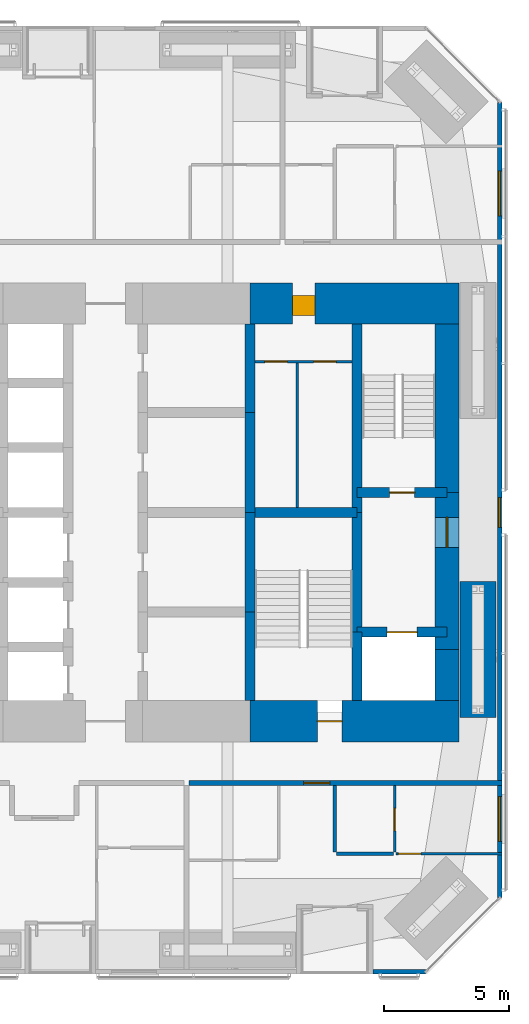
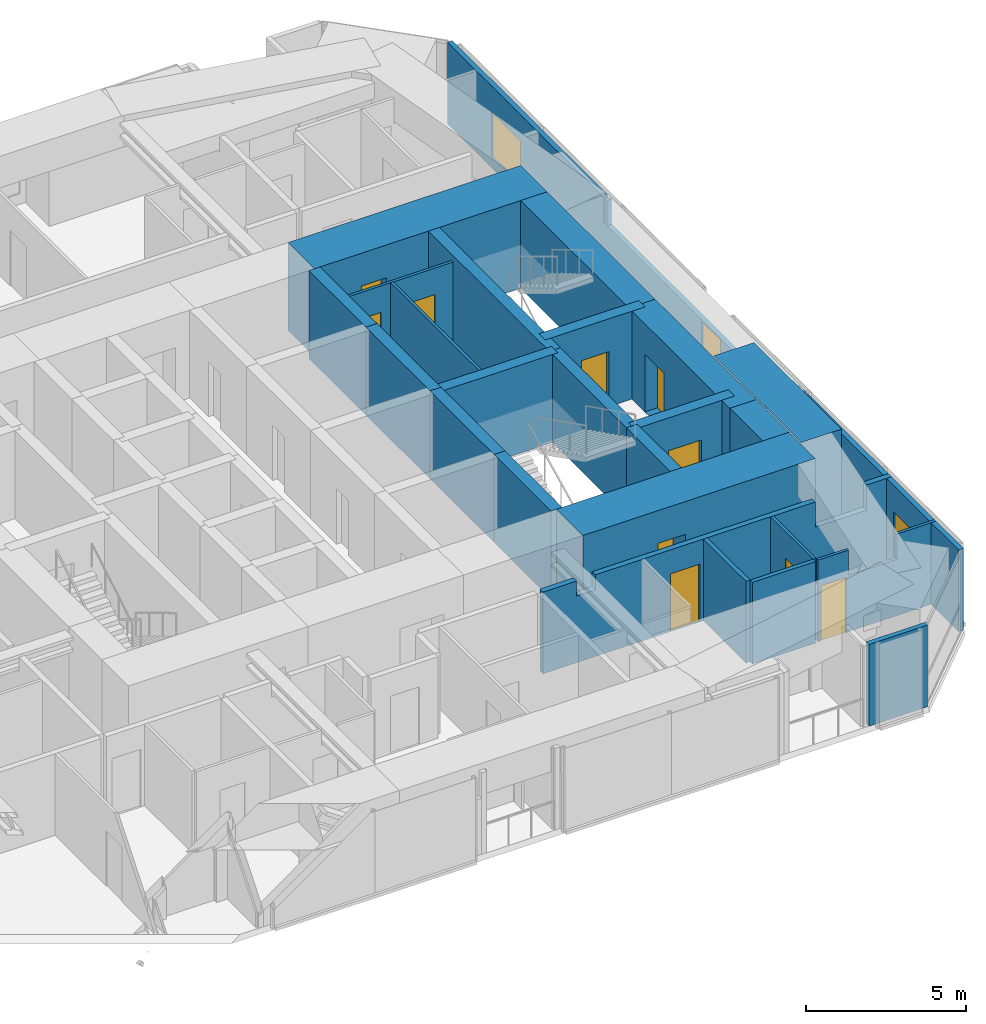
# One storey, part 20 of 23: 25 walls, 10 doors, 3 windows, 13 openings.
"""IFC4 building model written with IfcOpenShell, lengths in metres."""

from ifc_helpers import new_model, si_unit, direction, frame, frame_2d, origin, place, context, subcontext, project, spatial, polyline, rectangle, outline, extrude, material, layer, layer_set, constituent, constituent_set, type_object, element, fill, save


model = new_model("IFC4")

# Units and contexts
model_context = context("Model", 3, precision=1e-05, world=origin(), true_north=direction((0.0, 1.0)))
body_context = subcontext(model_context, "Body", "Model", "MODEL_VIEW")
ifc_project = project(units=[si_unit("LENGTHUNIT", "METRE"), si_unit("AREAUNIT", "SQUARE_METRE"), si_unit("VOLUMEUNIT", "CUBIC_METRE"), si_unit("PLANEANGLEUNIT", "RADIAN"), si_unit("MASSUNIT", "GRAM", prefix="KILO")], contexts=[model_context])

# Site, building, storey
site_placement = place(None, origin())
site = spatial("IfcSite", under=ifc_project, at=site_placement, CompositionType="ELEMENT")
building_placement = place(site_placement, origin())
building = spatial("IfcBuilding", under=site, at=building_placement, Name="Jalousie Tower", CompositionType="ELEMENT")
storey_placement = place(building_placement, frame((0.0, 0.0, 24.35009765625)))
storey = spatial("IfcBuildingStorey", under=building, at=storey_placement, Name="L05", CompositionType="ELEMENT", Elevation=24.35009765625)

# Walls
ifc_material_1 = material(Name="Concrete block ASTM C90", Category="concrete")
ifc_constituent_1 = constituent(ifc_material_1, Name="Body")
ifc_material_2 = material(Name="Render")
ifc_constituent_2 = constituent(ifc_material_2, Name="Finish")
ifc_constituent_set_1 = constituent_set(constituents=[ifc_constituent_1, ifc_constituent_2])
wall_type_1 = type_object("IfcWallType", Name="BATHROOM WALL 150", PredefinedType="PLUMBINGWALL", material=ifc_constituent_set_1)
wall_1_placement = place(storey_placement, frame((39.375, 4.8173828125, 0.0), z_axis=(0.0, 0.0, 1.0), x_axis=(1.0, 0.0, 0.0)))
element("IfcWall", 1, at=wall_1_placement, inside=storey, type_object=wall_type_1, Name="Bathroom Wall 150 L05", PredefinedType="PLUMBINGWALL", context=body_context, shape_type="SweptSolid", body=[
    extrude(rectangle(XDim=2.27490234375, YDim=0.14990234375, at=frame_2d((1.137451171875, 0.0))), origin(), (0.0, 0.0, 1.0), 3.10986328125),
])
wall_2_placement = place(storey_placement, frame((39.300048828125, 4.892333984375, 0.0), z_axis=(0.0, 0.0, 1.0), x_axis=(0.0, 1.0, 0.0)))
element("IfcWall", 2, at=wall_2_placement, inside=storey, type_object=wall_type_1, Name="Bathroom Wall 150 L05", PredefinedType="PLUMBINGWALL", context=body_context, shape_type="SweptSolid", body=[
    extrude(rectangle(XDim=2.65771484375, YDim=0.14990234375, at=frame_2d((1.328857421875, 0.0))), origin(), (0.0, 0.0, 1.0), 3.10986328125),
])

# Wall, opening, door
ifc_material_3 = material(Name="Concrete f'c 120 MPa", Category="concrete")
ifc_layer_1 = layer(ifc_material_3, 1.64990234375)
ifc_layer_set_1 = layer_set([ifc_layer_1], Name="Concrete f'c 120 MPa")
wall_type_2 = type_object("IfcWallType", Name="CORE WALL 1650", PredefinedType="SHEAR", material=ifc_layer_set_1)
wall_3_placement = place(storey_placement, frame((35.89990234375, 10.125, 0.0), z_axis=(0.0, 0.0, 1.0), x_axis=(1.0, 0.0, 0.0)))
wall_3 = element("IfcWall", 3, at=wall_3_placement, inside=storey, type_object=wall_type_2, Name="Core wall SD L05", PredefinedType="SHEAR", context=body_context, shape_type="SweptSolid", body=[
    extrude(rectangle(XDim=8.375, YDim=1.64990234375, at=frame_2d((4.1875, 0.0))), origin(), (0.0, 0.0, 1.0), 3.349853515625),
])
opening_1_placement = place(wall_3_placement, frame((2.699951171875, 0.0, 0.0)))
opening_1 = element("IfcOpeningElement", 4, at=opening_1_placement, cuts=wall_3, Name="Opening D10", PredefinedType="OPENING", context=body_context, shape_type="SweptSolid", body=[
    extrude(rectangle(XDim=1.0, YDim=2.10009765625, at=frame_2d((0.5, 1.050048828125))), frame((0.0, 0.8349609375, 0.0), z_axis=(0.0, -1.0, 0.0), x_axis=(1.0, 0.0, 0.0)), (0.0, 0.0, 1.0), 1.669921875),
])
ifc_material_4 = material(Name="Steel fire door", Category="steel")
door_type_1 = type_object("IfcDoorType", Name="STAIR DOOR 1000", OperationType="SINGLE_SWING_LEFT", PredefinedType="DOOR", material=ifc_material_4)
door_1_placement = place(opening_1_placement, origin())
door_1 = element("IfcDoor", 5, at=door_1_placement, inside=storey, type_object=door_type_1, Name="Exit stair C door", OperationType="SINGLE_SWING_RIGHT", OverallHeight=2.10009765625, OverallWidth=1.0, PredefinedType="DOOR", context=body_context, shape_type="SweptSolid", body=[
    extrude(rectangle(XDim=1.0, YDim=2.10009765625, at=frame_2d((0.5, 1.050048828125))), frame((0.0, 0.02490234375, 0.0), z_axis=(0.0, -1.0, 0.0), x_axis=(1.0, 0.0, 0.0)), (0.0, 0.0, 1.0), 0.050048828125),
])
fill(opening_1, door_1)

wall_4_placement = place(storey_placement, frame((44.27490234375, 26.875, 0.0), z_axis=(0.0, 0.0, 1.0), x_axis=(-1.0, 0.0, 0.0)))
wall_4 = element("IfcWall", 6, at=wall_4_placement, inside=storey, type_object=wall_type_2, Name="Core wall NA L05", PredefinedType="SHEAR", context=body_context, shape_type="SweptSolid", body=[
    extrude(rectangle(XDim=8.375, YDim=1.64990234375, at=frame_2d((4.1875, 0.0))), origin(), (0.0, 0.0, 1.0), 3.349853515625),
])
opening_2_placement = place(wall_4_placement, frame((5.77490234375, 0.0, 0.0)))
opening_2 = element("IfcOpeningElement", 7, at=opening_2_placement, cuts=wall_4, Name="Opening D25", PredefinedType="OPENING", context=body_context, shape_type="SweptSolid", body=[
    extrude(rectangle(XDim=0.89990234375, YDim=2.10009765625, at=frame_2d((0.449951171875, 1.050048828125))), frame((0.0, 0.8349609375, 0.0), z_axis=(0.0, -1.0, 0.0), x_axis=(1.0, 0.0, 0.0)), (0.0, 0.0, 1.0), 1.669921875),
])
ifc_material_5 = material(Name="Steel fire door", Category="steel")
door_type_2 = type_object("IfcDoorType", Name="SERVICE LOBBY DOOR 900", OperationType="SINGLE_SWING_LEFT", PredefinedType="DOOR", material=ifc_material_5)
door_2_placement = place(opening_2_placement, origin())
door_2 = element("IfcDoor", 8, at=door_2_placement, inside=storey, type_object=door_type_2, Name="Service lobby door", OperationType="SINGLE_SWING_RIGHT", OverallHeight=2.10009765625, OverallWidth=0.89990234375, PredefinedType="DOOR", context=body_context, shape_type="SweptSolid", body=[
    extrude(rectangle(XDim=0.89990234375, YDim=2.10009765625, at=frame_2d((0.449951171875, 1.050048828125))), frame((0.0, 0.47021484375, 0.0), z_axis=(0.0, -1.0, 0.0), x_axis=(1.0, 0.0, 0.0)), (0.0, 0.0, 1.0), 0.800048828125),
])
fill(opening_2, door_2)

# Walls
ifc_material_6 = material(Name="Concrete f'c 120 MPa", Category="concrete")
ifc_layer_2 = layer(ifc_material_6, 0.39990234375)
ifc_layer_set_2 = layer_set([ifc_layer_2], Name="Concrete f'c 120 MPa")
wall_type_3 = type_object("IfcWallType", Name="CORE WALL 400", PredefinedType="SHEAR", material=ifc_layer_set_2)
wall_5_placement = place(storey_placement, frame((35.89990234375, 10.949951171875, 0.0), z_axis=(0.0, 0.0, 1.0), x_axis=(0.0, 1.0, 0.0)))
element("IfcWall", 9, at=wall_5_placement, inside=storey, type_object=wall_type_3, Name="Core wall X35.9A L05", PredefinedType="SHEAR", context=body_context, shape_type="SweptSolid", body=[
    extrude(rectangle(XDim=3.550048828125, YDim=0.39990234375, at=frame_2d((1.77490234375, 0.0))), origin(), (0.0, 0.0, 1.0), 3.349853515625),
])
for number, where, z_axis, x_axis, name in (
    (10, (35.89990234375, 14.5, 0.0), (0.0, 0.0, 1.0), (0.0, 1.0, 0.0), "Core wall X35.9B L05"),
    (11, (35.89990234375, 18.5, 0.0), (0.0, 0.0, 1.0), (0.0, 1.0, 0.0), "Core wall X35.9C L05"),
):
    element("IfcWall", number, at=place(storey_placement, frame(where, z_axis=z_axis, x_axis=x_axis)), inside=storey, type_object=wall_type_3, Name=name, PredefinedType="SHEAR", context=body_context, shape_type="SweptSolid", body=[
        extrude(rectangle(XDim=4.0, YDim=0.39990234375, at=frame_2d((2.0, 0.0))), origin(), (0.0, 0.0, 1.0), 3.349853515625),
    ])
wall_6_placement = place(storey_placement, frame((35.89990234375, 22.5, 0.0), z_axis=(0.0, 0.0, 1.0), x_axis=(0.0, 1.0, 0.0)))
element("IfcWall", 12, at=wall_6_placement, inside=storey, type_object=wall_type_3, Name="Core wall X35.9D L05", PredefinedType="SHEAR", context=body_context, shape_type="SweptSolid", body=[
    extrude(rectangle(XDim=3.550048828125, YDim=0.39990234375, at=frame_2d((1.77490234375, 0.0))), origin(), (0.0, 0.0, 1.0), 3.349853515625),
])
wall_7_placement = place(storey_placement, frame((40.199951171875, 10.949951171875, 0.0), z_axis=(0.0, 0.0, 1.0), x_axis=(0.0, 1.0, 0.0)))
element("IfcWall", 13, at=wall_7_placement, inside=storey, type_object=wall_type_3, Name="Core wall X40.2A L05", PredefinedType="SHEAR", context=body_context, shape_type="SweptSolid", body=[
    extrude(rectangle(XDim=2.75, YDim=0.39990234375, at=frame_2d((1.375, 0.0))), origin(), (0.0, 0.0, 1.0), 3.349853515625),
])
wall_8_placement = place(storey_placement, frame((40.199951171875, 13.699951171875, 0.0), z_axis=(0.0, 0.0, 1.0), x_axis=(0.0, 1.0, 0.0)))
element("IfcWall", 14, at=wall_8_placement, inside=storey, type_object=wall_type_3, Name="Core wall X40.2B L05", PredefinedType="SHEAR", context=body_context, shape_type="SweptSolid", body=[
    extrude(rectangle(XDim=4.800048828125, YDim=0.39990234375, at=frame_2d((2.39990234375, 0.0))), origin(), (0.0, 0.0, 1.0), 3.349853515625),
])
wall_9_placement = place(storey_placement, frame((40.199951171875, 18.5, 0.0), z_axis=(0.0, 0.0, 1.0), x_axis=(0.0, 1.0, 0.0)))
element("IfcWall", 15, at=wall_9_placement, inside=storey, type_object=wall_type_3, Name="Core wall X40.2C L05", PredefinedType="SHEAR", context=body_context, shape_type="SweptSolid", body=[
    extrude(rectangle(XDim=7.550048828125, YDim=0.39990234375, at=frame_2d((3.77490234375, 0.0))), origin(), (0.0, 0.0, 1.0), 3.349853515625),
])
wall_10_placement = place(storey_placement, frame((35.89990234375, 18.5, 0.0), z_axis=(0.0, 0.0, 1.0), x_axis=(1.0, 0.0, 0.0)))
element("IfcWall", 16, at=wall_10_placement, inside=storey, type_object=wall_type_3, Name="Core wall Y35.9-18.5 L05", PredefinedType="SHEAR", context=body_context, shape_type="SweptSolid", body=[
    extrude(rectangle(XDim=4.300048828125, YDim=0.39990234375, at=frame_2d((2.14990234375, 0.0))), origin(), (0.0, 0.0, 1.0), 3.349853515625),
])

# Wall, opening, door
wall_11_placement = place(storey_placement, frame((40.199951171875, 13.699951171875, 0.0), z_axis=(0.0, 0.0, 1.0), x_axis=(1.0, 0.0, 0.0)))
wall_11 = element("IfcWall", 17, at=wall_11_placement, inside=storey, type_object=wall_type_3, Name="Core wall Y40.2-13.7 L05", PredefinedType="SHEAR", context=body_context, shape_type="SweptSolid", body=[
    extrude(rectangle(XDim=3.60009765625, YDim=0.39990234375, at=frame_2d((1.800048828125, 0.0))), origin(), (0.0, 0.0, 1.0), 3.349853515625),
])
opening_3_placement = place(wall_11_placement, frame((1.199951171875, 0.0, 0.0)))
opening_3 = element("IfcOpeningElement", 18, at=opening_3_placement, cuts=wall_11, Name="Opening LD2", PredefinedType="OPENING", context=body_context, shape_type="SweptSolid", body=[
    extrude(rectangle(XDim=1.199951171875, YDim=2.10009765625, at=frame_2d((0.60009765625, 1.050048828125))), frame((0.0, 0.2099609375, 0.0), z_axis=(0.0, -1.0, 0.0), x_axis=(1.0, 0.0, 0.0)), (0.0, 0.0, 1.0), 0.419921875),
])
ifc_material_7 = material(Name="Steel lift landing door", Category="steel")
door_type_3 = type_object("IfcDoorType", Name="LIFT LANDING DOOR 1200", OperationType="SLIDING_TO_LEFT", PredefinedType="DOOR", material=ifc_material_7)
door_3_placement = place(opening_3_placement, origin())
door_3 = element("IfcDoor", 19, at=door_3_placement, inside=storey, type_object=door_type_3, Name="Lift F2 landing door", OperationType="SLIDING_TO_LEFT", OverallHeight=2.10009765625, OverallWidth=1.199951171875, PredefinedType="DOOR", context=body_context, shape_type="SweptSolid", body=[
    extrude(rectangle(XDim=1.199951171875, YDim=2.10009765625, at=frame_2d((0.60009765625, 1.050048828125))), frame((0.0, 0.02490234375, 0.0), z_axis=(0.0, -1.0, 0.0), x_axis=(1.0, 0.0, 0.0)), (0.0, 0.0, 1.0), 0.050048828125),
])
fill(opening_3, door_3)

wall_12_placement = place(storey_placement, frame((40.199951171875, 19.300048828125, 0.0), z_axis=(0.0, 0.0, 1.0), x_axis=(1.0, 0.0, 0.0)))
wall_12 = element("IfcWall", 20, at=wall_12_placement, inside=storey, type_object=wall_type_3, Name="Core wall Y40.2-19.3 L05", PredefinedType="SHEAR", context=body_context, shape_type="SweptSolid", body=[
    extrude(rectangle(XDim=3.60009765625, YDim=0.39990234375, at=frame_2d((1.800048828125, 0.0))), origin(), (0.0, 0.0, 1.0), 3.349853515625),
])
opening_4_placement = place(wall_12_placement, frame((1.300048828125, 0.0, 0.0)))
opening_4 = element("IfcOpeningElement", 21, at=opening_4_placement, cuts=wall_12, Name="Opening D10", PredefinedType="OPENING", context=body_context, shape_type="SweptSolid", body=[
    extrude(rectangle(XDim=1.0, YDim=2.10009765625, at=frame_2d((0.5, 1.050048828125))), frame((0.0, 0.2099609375, 0.0), z_axis=(0.0, -1.0, 0.0), x_axis=(1.0, 0.0, 0.0)), (0.0, 0.0, 1.0), 0.419921875),
])
door_4_placement = place(opening_4_placement, origin())
door_4 = element("IfcDoor", 22, at=door_4_placement, inside=storey, type_object=door_type_1, Name="Exit stair B door", OperationType="SINGLE_SWING_RIGHT", OverallHeight=2.10009765625, OverallWidth=1.0, PredefinedType="DOOR", context=body_context, shape_type="SweptSolid", body=[
    extrude(rectangle(XDim=1.0, YDim=2.10009765625, at=frame_2d((0.5, 1.050048828125))), frame((0.0, 0.02490234375, 0.0), z_axis=(0.0, -1.0, 0.0), x_axis=(1.0, 0.0, 0.0)), (0.0, 0.0, 1.0), 0.050048828125),
])
fill(opening_4, door_4)

# Wall
ifc_material_8 = material(Name="Concrete f'c 120 MPa", Category="concrete")
ifc_layer_3 = layer(ifc_material_8, 0.949951171875)
ifc_layer_set_3 = layer_set([ifc_layer_3], Name="Concrete f'c 120 MPa")
wall_type_4 = type_object("IfcWallType", Name="CORE WALL 950", PredefinedType="SHEAR", material=ifc_layer_set_3)
wall_13_placement = place(storey_placement, frame((43.800048828125, 10.949951171875, 0.0), z_axis=(0.0, 0.0, 1.0), x_axis=(0.0, 1.0, 0.0)))
element("IfcWall", 23, at=wall_13_placement, inside=storey, type_object=wall_type_4, Name="Core wall EA L05", PredefinedType="SHEAR", context=body_context, shape_type="SweptSolid", body=[
    extrude(rectangle(XDim=2.050048828125, YDim=0.949951171875, at=frame_2d((1.02490234375, 0.0))), origin(), (0.0, 0.0, 1.0), 3.349853515625),
])

# Wall, opening, door
wall_14_placement = place(storey_placement, frame((43.800048828125, 13.0, 0.0), z_axis=(0.0, 0.0, 1.0), x_axis=(0.0, 1.0, 0.0)))
wall_14 = element("IfcWall", 24, at=wall_14_placement, inside=storey, type_object=wall_type_4, Name="Core wall EB L05", PredefinedType="SHEAR", context=body_context, shape_type="SweptSolid", body=[
    extrude(rectangle(XDim=6.300048828125, YDim=0.949951171875, at=frame_2d((3.14990234375, 0.0))), origin(), (0.0, 0.0, 1.0), 3.349853515625),
])
opening_5_placement = place(wall_14_placement, frame((4.10009765625, 0.0, 0.0)))
opening_5 = element("IfcOpeningElement", 25, at=opening_5_placement, cuts=wall_14, Name="Opening D11", PredefinedType="OPENING", context=body_context, shape_type="SweptSolid", body=[
    extrude(rectangle(XDim=1.199951171875, YDim=2.199951171875, at=frame_2d((0.60009765625, 1.10009765625))), frame((0.0, 0.48486328125, 0.0), z_axis=(0.0, -1.0, 0.0), x_axis=(1.0, 0.0, 0.0)), (0.0, 0.0, 1.0), 0.969970703125),
])
ifc_material_9 = material(Name="Steel fire door", Category="steel")
door_type_4 = type_object("IfcDoorType", Name="FIRE DOOR 1200", OperationType="SINGLE_SWING_LEFT", PredefinedType="DOOR", material=ifc_material_9)
door_5_placement = place(opening_5_placement, origin())
door_5 = element("IfcDoor", 26, at=door_5_placement, inside=storey, type_object=door_type_4, Name="Fire-fighting lobby B door", OperationType="SINGLE_SWING_RIGHT", OverallHeight=2.199951171875, OverallWidth=1.199951171875, PredefinedType="DOOR", context=body_context, shape_type="SweptSolid", body=[
    extrude(rectangle(XDim=1.199951171875, YDim=2.199951171875, at=frame_2d((0.60009765625, 1.10009765625))), frame((0.0, 0.02490234375, 0.0), z_axis=(0.0, -1.0, 0.0), x_axis=(1.0, 0.0, 0.0)), (0.0, 0.0, 1.0), 0.050048828125),
])
fill(opening_5, door_5)

# Wall
wall_15_placement = place(storey_placement, frame((43.800048828125, 19.300048828125, 0.0), z_axis=(0.0, 0.0, 1.0), x_axis=(0.0, 1.0, 0.0)))
element("IfcWall", 27, at=wall_15_placement, inside=storey, type_object=wall_type_4, Name="Core wall EC L05", PredefinedType="SHEAR", context=body_context, shape_type="SweptSolid", body=[
    extrude(rectangle(XDim=6.75, YDim=0.949951171875, at=frame_2d((3.375, 0.0))), origin(), (0.0, 0.0, 1.0), 3.349853515625),
])

# Wall, opening, door
ifc_material_10 = material(Name="Concrete block ASTM C90", Category="concrete")
ifc_constituent_3 = constituent(ifc_material_10, Name="Body")
ifc_material_11 = material(Name="Render")
ifc_constituent_4 = constituent(ifc_material_11, Name="Finish")
ifc_constituent_set_2 = constituent_set(constituents=[ifc_constituent_3, ifc_constituent_4])
wall_type_5 = type_object("IfcWallType", Name="CORRIDOR WALL 200", PredefinedType="PARTITIONING", material=ifc_constituent_set_2)
wall_16_placement = place(storey_placement, frame((33.449951171875, 7.64990234375, 0.0), z_axis=(0.0, 0.0, 1.0), x_axis=(1.0, 0.0, 0.0)))
wall_16 = element("IfcWall", 28, at=wall_16_placement, inside=storey, type_object=wall_type_5, Name="Corridor Wall 200 L05", PredefinedType="PARTITIONING", context=body_context, shape_type="SweptSolid", body=[
    extrude(outline(polyline([(0.0, 0.0), (12.550048828125, 0.0), (12.550048828125, 3.10986328125), (11.654296875, 3.10986328125), (11.654296875, 2.14990234375), (9.810546875, 2.14990234375), (9.810546875, 3.10986328125), (1.88720703125, 3.10986328125), (1.88720703125, 2.541015625), (1.212646484375, 2.541015625), (1.212646484375, 3.10986328125), (0.0, 3.10986328125), (0.0, 0.0)])), frame((0.0, 0.10009765625, 0.0), z_axis=(0.0, -1.0, 0.0), x_axis=(1.0, 0.0, 0.0)), (0.0, 0.0, 1.0), 0.199951171875),
])
opening_6_placement = place(wall_16_placement, frame((4.60009765625, 0.0, 0.0)))
opening_6 = element("IfcOpeningElement", 29, at=opening_6_placement, cuts=wall_16, Name="Opening D1", PredefinedType="OPENING", context=body_context, shape_type="SweptSolid", body=[
    extrude(rectangle(XDim=1.050048828125, YDim=2.199951171875, at=frame_2d((0.52490234375, 1.10009765625))), frame((0.0, 0.10986328125, 0.0), z_axis=(0.0, -1.0, 0.0), x_axis=(1.0, 0.0, 0.0)), (0.0, 0.0, 1.0), 0.219970703125),
])
ifc_material_12 = material(Name="Timber fire door", Category="wood")
door_type_5 = type_object("IfcDoorType", Name="APARTMENT ENTRANCE DOOR 1050", OperationType="SINGLE_SWING_LEFT", PredefinedType="DOOR", material=ifc_material_12)
door_6_placement = place(opening_6_placement, frame((1.050048828125, 0.0, 0.0), z_axis=(0.0, 0.0, 1.0), x_axis=(-1.0, 0.0, 0.0)))
door_6 = element("IfcDoor", 30, at=door_6_placement, inside=storey, type_object=door_type_5, Name="Apartment 0503 entrance", OperationType="SINGLE_SWING_LEFT", OverallHeight=2.199951171875, OverallWidth=1.050048828125, PredefinedType="DOOR", context=body_context, shape_type="SweptSolid", body=[
    extrude(rectangle(XDim=1.050048828125, YDim=2.199951171875, at=frame_2d((0.52490234375, 1.10009765625))), frame((0.0, 0.02490234375, 0.0), z_axis=(0.0, -1.0, 0.0), x_axis=(1.0, 0.0, 0.0)), (0.0, 0.0, 1.0), 0.050048828125),
])
fill(opening_6, door_6)

# Wall
ifc_material_13 = material(Name="Concrete f'c 40 MPa", Category="concrete")
ifc_constituent_5 = constituent(ifc_material_13, Name="Body")
ifc_material_14 = material(Name="Render, pastel coral")
ifc_constituent_6 = constituent(ifc_material_14, Name="Finish")
ifc_constituent_set_3 = constituent_set(constituents=[ifc_constituent_5, ifc_constituent_6])
wall_type_6 = type_object("IfcWallType", Name="EXTERNAL WALL 175 CORAL RENDER", PredefinedType="SOLIDWALL", material=ifc_constituent_set_3)
wall_17_placement = place(storey_placement, frame((40.824951171875, 0.08740234375, 0.0), z_axis=(0.0, 0.0, 1.0), x_axis=(1.0, 0.0, 0.0)))
element("IfcWall", 31, at=wall_17_placement, inside=storey, type_object=wall_type_6, Name="External Wall 175 Coral Render L05", PredefinedType="SOLIDWALL", context=body_context, shape_type="SweptSolid", body=[
    extrude(rectangle(XDim=2.123779296875, YDim=0.175048828125, at=frame_2d((1.06201171875, 0.0))), origin(), (0.0, 0.0, 1.0), 3.10986328125),
])

# Wall, openings, windows
wall_18_placement = place(storey_placement, frame((45.91259765625, 3.05126953125, 0.0), z_axis=(0.0, 0.0, 1.0), x_axis=(0.0, 1.0, 0.0)))
wall_18 = element("IfcWall", 32, at=wall_18_placement, inside=storey, type_object=wall_type_6, Name="External Wall 175 Coral Render L05", PredefinedType="SOLIDWALL", context=body_context, shape_type="SweptSolid", body=[
    extrude(outline(polyline([(0.0, 0.0), (31.8974609375, 0.0), (31.8974609375, 3.10986328125), (22.167236328125, 3.10986328125), (22.167236328125, 2.14990234375), (22.074462890625, 2.14990234375), (22.074462890625, 3.10986328125), (21.94873046875, 3.10986328125), (21.94873046875, 2.14990234375), (9.94873046875, 2.14990234375), (9.94873046875, 3.10986328125), (9.822998046875, 3.10986328125), (9.822998046875, 2.14990234375), (9.72998046875, 2.14990234375), (9.72998046875, 3.10986328125), (0.0, 3.10986328125), (0.0, 0.0)])), frame((0.0, 0.08740234375, 0.0), z_axis=(0.0, -1.0, 0.0), x_axis=(1.0, 0.0, 0.0)), (0.0, 0.0, 1.0), 0.175048828125),
])
opening_7_placement = place(wall_18_placement, frame((2.25732421875, 0.0, 0.39990234375)))
opening_7 = element("IfcOpeningElement", 33, at=opening_7_placement, cuts=wall_18, Name="Opening W-BED170", PredefinedType="OPENING", context=body_context, shape_type="SweptSolid", body=[
    extrude(rectangle(XDim=1.800048828125, YDim=1.699951171875, at=frame_2d((0.89990234375, 0.85009765625))), frame((0.0, 0.097412109375, 0.0), z_axis=(0.0, -1.0, 0.0), x_axis=(1.0, 0.0, 0.0)), (0.0, 0.0, 1.0), 0.195068359375),
])
opening_8_placement = place(wall_18_placement, frame((14.8486328125, 0.0, 0.39990234375)))
opening_8 = element("IfcOpeningElement", 34, at=opening_8_placement, cuts=wall_18, Name="Opening W-COR170", PredefinedType="OPENING", context=body_context, shape_type="SweptSolid", body=[
    extrude(rectangle(XDim=1.199951171875, YDim=1.699951171875, at=frame_2d((0.60009765625, 0.85009765625))), frame((0.0, 0.097412109375, 0.0), z_axis=(0.0, -1.0, 0.0), x_axis=(1.0, 0.0, 0.0)), (0.0, 0.0, 1.0), 0.195068359375),
])
opening_9_placement = place(wall_18_placement, frame((27.340087890625, 0.0, 0.39990234375)))
opening_9 = element("IfcOpeningElement", 35, at=opening_9_placement, cuts=wall_18, Name="Opening W-BED170", PredefinedType="OPENING", context=body_context, shape_type="SweptSolid", body=[
    extrude(rectangle(XDim=1.800048828125, YDim=1.699951171875, at=frame_2d((0.89990234375, 0.85009765625))), frame((0.0, 0.097412109375, 0.0), z_axis=(0.0, -1.0, 0.0), x_axis=(1.0, 0.0, 0.0)), (0.0, 0.0, 1.0), 0.195068359375),
])
ifc_material_15 = material(Name="Aluminium frame, impact-rated glazing", Category="aluminium")
window_type_1 = type_object("IfcWindowType", Name="WINDOW BED 1800x1700", PartitioningType="SINGLE_PANEL", PredefinedType="WINDOW", material=ifc_material_15)
window_1_placement = place(opening_7_placement, origin())
window_1 = element("IfcWindow", 36, at=window_1_placement, inside=storey, type_object=window_type_1, Name="Apartment 0503 bedroom 1 window", OverallHeight=1.699951171875, OverallWidth=1.800048828125, PartitioningType="SINGLE_PANEL", PredefinedType="WINDOW", context=body_context, shape_type="SweptSolid", body=[
    extrude(rectangle(XDim=1.800048828125, YDim=1.699951171875, at=frame_2d((0.89990234375, 0.85009765625))), frame((0.0, 0.030029296875, 0.0), z_axis=(0.0, -1.0, 0.0), x_axis=(1.0, 0.0, 0.0)), (0.0, 0.0, 1.0), 0.06005859375),
])
fill(opening_7, window_1)
window_2_placement = place(opening_9_placement, origin())
window_2 = element("IfcWindow", 37, at=window_2_placement, inside=storey, type_object=window_type_1, Name="Apartment 0505 bedroom 1 window", OverallHeight=1.699951171875, OverallWidth=1.800048828125, PartitioningType="SINGLE_PANEL", PredefinedType="WINDOW", context=body_context, shape_type="SweptSolid", body=[
    extrude(rectangle(XDim=1.800048828125, YDim=1.699951171875, at=frame_2d((0.89990234375, 0.85009765625))), frame((0.0, 0.030029296875, 0.0), z_axis=(0.0, -1.0, 0.0), x_axis=(1.0, 0.0, 0.0)), (0.0, 0.0, 1.0), 0.06005859375),
])
fill(opening_9, window_2)
ifc_material_16 = material(Name="Aluminium frame, impact-rated glazing", Category="aluminium")
window_type_2 = type_object("IfcWindowType", Name="WINDOW COR 1200x1700", PartitioningType="SINGLE_PANEL", PredefinedType="WINDOW", material=ifc_material_16)
window_3_placement = place(opening_8_placement, origin())
window_3 = element("IfcWindow", 38, at=window_3_placement, inside=storey, type_object=window_type_2, Name="Corridor window", OverallHeight=1.699951171875, OverallWidth=1.199951171875, PartitioningType="SINGLE_PANEL", PredefinedType="WINDOW", context=body_context, shape_type="SweptSolid", body=[
    extrude(rectangle(XDim=1.199951171875, YDim=1.699951171875, at=frame_2d((0.60009765625, 0.85009765625))), frame((0.0, 0.030029296875, 0.0), z_axis=(0.0, -1.0, 0.0), x_axis=(1.0, 0.0, 0.0)), (0.0, 0.0, 1.0), 0.06005859375),
])
fill(opening_8, window_3)

# Wall, opening, door
ifc_material_17 = material(Name="Gypsum board", Category="gypsum")
ifc_constituent_7 = constituent(ifc_material_17, Name="Body")
ifc_material_18 = material(Name="Light-gauge steel studs ASTM A653 SS Grade 33", Category="steel")
ifc_constituent_8 = constituent(ifc_material_18, Name="Framing")
ifc_constituent_set_4 = constituent_set(constituents=[ifc_constituent_7, ifc_constituent_8])
wall_type_7 = type_object("IfcWallType", Name="PARTITION 100", PredefinedType="PARTITIONING", material=ifc_constituent_set_4)
wall_19_placement = place(storey_placement, frame((41.699951171875, 4.892333984375, 0.0), z_axis=(0.0, 0.0, 1.0), x_axis=(0.0, 1.0, 0.0)))
wall_19 = element("IfcWall", 39, at=wall_19_placement, inside=storey, type_object=wall_type_7, Name="Partition 100 L05", PredefinedType="PARTITIONING", context=body_context, shape_type="SweptSolid", body=[
    extrude(rectangle(XDim=2.65771484375, YDim=0.10009765625, at=frame_2d((1.328857421875, 0.0))), origin(), (0.0, 0.0, 1.0), 3.10986328125),
])
opening_10_placement = place(wall_19_placement, frame((0.84130859375, 0.0, 0.0)))
opening_10 = element("IfcOpeningElement", 40, at=opening_10_placement, cuts=wall_19, Name="Opening D3", PredefinedType="OPENING", context=body_context, shape_type="SweptSolid", body=[
    extrude(rectangle(XDim=0.89990234375, YDim=2.10009765625, at=frame_2d((0.449951171875, 1.050048828125))), frame((0.0, 0.06005859375, 0.0), z_axis=(0.0, -1.0, 0.0), x_axis=(1.0, 0.0, 0.0)), (0.0, 0.0, 1.0), 0.1201171875),
])
ifc_material_19 = material(Name="Timber door", Category="wood")
door_type_6 = type_object("IfcDoorType", Name="BATHROOM DOOR 900", OperationType="SINGLE_SWING_LEFT", PredefinedType="DOOR", material=ifc_material_19)
door_7_placement = place(opening_10_placement, origin())
door_7 = element("IfcDoor", 41, at=door_7_placement, inside=storey, type_object=door_type_6, Name="Apartment 0503 bedroom 1 bathroom door", OperationType="SINGLE_SWING_LEFT", OverallHeight=2.10009765625, OverallWidth=0.89990234375, PredefinedType="DOOR", context=body_context, shape_type="SweptSolid", body=[
    extrude(rectangle(XDim=0.89990234375, YDim=2.10009765625, at=frame_2d((0.449951171875, 1.050048828125))), frame((0.0, 0.02490234375, 0.0), z_axis=(0.0, -1.0, 0.0), x_axis=(1.0, 0.0, 0.0)), (0.0, 0.0, 1.0), 0.050048828125),
])
fill(opening_10, door_7)

wall_20_placement = place(storey_placement, frame((41.75, 4.8173828125, 0.0), z_axis=(0.0, 0.0, 1.0), x_axis=(1.0, 0.0, 0.0)))
wall_20 = element("IfcWall", 42, at=wall_20_placement, inside=storey, type_object=wall_type_7, Name="Partition 100 L05", PredefinedType="PARTITIONING", context=body_context, shape_type="SweptSolid", body=[
    extrude(outline(polyline([(0.0, 0.0), (4.25, 0.0), (4.25, 3.10986328125), (2.84423828125, 3.10986328125), (2.84423828125, 2.14990234375), (1.101806640625, 2.14990234375), (1.101806640625, 3.10986328125), (0.0, 3.10986328125), (0.0, 0.0)])), frame((0.0, 0.050048828125, 0.0), z_axis=(0.0, -1.0, 0.0), x_axis=(1.0, 0.0, 0.0)), (0.0, 0.0, 1.0), 0.10009765625),
])
opening_11_placement = place(wall_20_placement, frame((0.10009765625, 0.0, 0.0)))
opening_11 = element("IfcOpeningElement", 43, at=opening_11_placement, cuts=wall_20, Name="Opening D2", PredefinedType="OPENING", context=body_context, shape_type="SweptSolid", body=[
    extrude(rectangle(XDim=0.89990234375, YDim=2.10009765625, at=frame_2d((0.449951171875, 1.050048828125))), frame((0.0, 0.06005859375, 0.0), z_axis=(0.0, -1.0, 0.0), x_axis=(1.0, 0.0, 0.0)), (0.0, 0.0, 1.0), 0.1201171875),
])
ifc_material_20 = material(Name="Timber door", Category="wood")
door_type_7 = type_object("IfcDoorType", Name="BEDROOM DOOR 900", OperationType="SINGLE_SWING_LEFT", PredefinedType="DOOR", material=ifc_material_20)
door_8_placement = place(opening_11_placement, origin())
door_8 = element("IfcDoor", 44, at=door_8_placement, inside=storey, type_object=door_type_7, Name="Apartment 0503 bedroom 1 door", OperationType="SINGLE_SWING_LEFT", OverallHeight=2.10009765625, OverallWidth=0.89990234375, PredefinedType="DOOR", context=body_context, shape_type="SweptSolid", body=[
    extrude(rectangle(XDim=0.89990234375, YDim=2.10009765625, at=frame_2d((0.449951171875, 1.050048828125))), frame((0.0, 0.02490234375, 0.0), z_axis=(0.0, -1.0, 0.0), x_axis=(1.0, 0.0, 0.0)), (0.0, 0.0, 1.0), 0.050048828125),
])
fill(opening_11, door_8)

# Wall, openings, doors
wall_21_placement = place(storey_placement, frame((36.10009765625, 24.550048828125, 0.0), z_axis=(0.0, 0.0, 1.0), x_axis=(1.0, 0.0, 0.0)))
wall_21 = element("IfcWall", 45, at=wall_21_placement, inside=storey, type_object=wall_type_7, Name="Partition 100 L05", PredefinedType="PARTITIONING", context=body_context, shape_type="SweptSolid", body=[
    extrude(rectangle(XDim=3.89990234375, YDim=0.10009765625, at=frame_2d((1.949951171875, 0.0))), origin(), (0.0, 0.0, 1.0), 3.10986328125),
])
opening_12_placement = place(wall_21_placement, frame((0.39990234375, 0.0, 0.0)))
opening_12 = element("IfcOpeningElement", 46, at=opening_12_placement, cuts=wall_21, Name="Opening D7", PredefinedType="OPENING", context=body_context, shape_type="SweptSolid", body=[
    extrude(rectangle(XDim=0.89990234375, YDim=2.10009765625, at=frame_2d((0.449951171875, 1.050048828125))), frame((0.0, 0.06005859375, 0.0), z_axis=(0.0, -1.0, 0.0), x_axis=(1.0, 0.0, 0.0)), (0.0, 0.0, 1.0), 0.1201171875),
])
opening_13_placement = place(wall_21_placement, frame((2.35009765625, 0.0, 0.0)))
opening_13 = element("IfcOpeningElement", 47, at=opening_13_placement, cuts=wall_21, Name="Opening D7", PredefinedType="OPENING", context=body_context, shape_type="SweptSolid", body=[
    extrude(rectangle(XDim=0.89990234375, YDim=2.10009765625, at=frame_2d((0.449951171875, 1.050048828125))), frame((0.0, 0.06005859375, 0.0), z_axis=(0.0, -1.0, 0.0), x_axis=(1.0, 0.0, 0.0)), (0.0, 0.0, 1.0), 0.1201171875),
])
ifc_material_21 = material(Name="Timber door", Category="wood")
door_type_8 = type_object("IfcDoorType", Name="INTERNAL DOOR 900", OperationType="SINGLE_SWING_LEFT", PredefinedType="DOOR", material=ifc_material_21)
door_9_placement = place(opening_12_placement, frame((0.89990234375, 0.0, 0.0), z_axis=(0.0, 0.0, 1.0), x_axis=(-1.0, 0.0, 0.0)))
door_9 = element("IfcDoor", 48, at=door_9_placement, inside=storey, type_object=door_type_8, Name="Staff WC door", OperationType="SINGLE_SWING_LEFT", OverallHeight=2.10009765625, OverallWidth=0.89990234375, PredefinedType="DOOR", context=body_context, shape_type="SweptSolid", body=[
    extrude(rectangle(XDim=0.89990234375, YDim=2.10009765625, at=frame_2d((0.449951171875, 1.050048828125))), frame((0.0, 0.02490234375, 0.0), z_axis=(0.0, -1.0, 0.0), x_axis=(1.0, 0.0, 0.0)), (0.0, 0.0, 1.0), 0.050048828125),
])
fill(opening_12, door_9)
door_10_placement = place(opening_13_placement, frame((0.89990234375, 0.0, 0.0), z_axis=(0.0, 0.0, 1.0), x_axis=(-1.0, 0.0, 0.0)))
door_10 = element("IfcDoor", 49, at=door_10_placement, inside=storey, type_object=door_type_8, Name="Pantry door", OperationType="SINGLE_SWING_RIGHT", OverallHeight=2.10009765625, OverallWidth=0.89990234375, PredefinedType="DOOR", context=body_context, shape_type="SweptSolid", body=[
    extrude(rectangle(XDim=0.89990234375, YDim=2.10009765625, at=frame_2d((0.449951171875, 1.050048828125))), frame((0.0, 0.02490234375, 0.0), z_axis=(0.0, -1.0, 0.0), x_axis=(1.0, 0.0, 0.0)), (0.0, 0.0, 1.0), 0.050048828125),
])
fill(opening_13, door_10)

# Walls
wall_22_placement = place(storey_placement, frame((37.800048828125, 18.699951171875, 0.0), z_axis=(0.0, 0.0, 1.0), x_axis=(0.0, 1.0, 0.0)))
element("IfcWall", 50, at=wall_22_placement, inside=storey, type_object=wall_type_7, Name="Partition 100 L05", PredefinedType="PARTITIONING", context=body_context, shape_type="SweptSolid", body=[
    extrude(rectangle(XDim=5.800048828125, YDim=0.10009765625, at=frame_2d((2.89990234375, 0.0))), origin(), (0.0, 0.0, 1.0), 3.10986328125),
])
ifc_material_22 = material(Name="Concrete f'c 120 MPa", Category="concrete")
ifc_layer_4 = layer(ifc_material_22, 1.449951171875)
ifc_layer_set_4 = layer_set([ifc_layer_4], Name="Concrete f'c 120 MPa")
wall_type_8 = type_object("IfcWallType", Name="RC WALL PIER 1450", PredefinedType="SHEAR", material=ifc_layer_set_4)
wall_23_placement = place(storey_placement, frame((45.050048828125, 10.27490234375, 0.0), z_axis=(0.0, 0.0, 1.0), x_axis=(0.0, 1.0, 0.0)))
element("IfcWall", 51, at=wall_23_placement, inside=storey, type_object=wall_type_8, Name="Wall pier 06 L05", PredefinedType="SHEAR", context=body_context, shape_type="SweptSolid", body=[
    extrude(rectangle(XDim=5.4501953125, YDim=1.449951171875, at=frame_2d((2.72509765625, 0.0))), origin(), (0.0, 0.0, 1.0), 3.349853515625),
])

save(model, "model.ifc")
